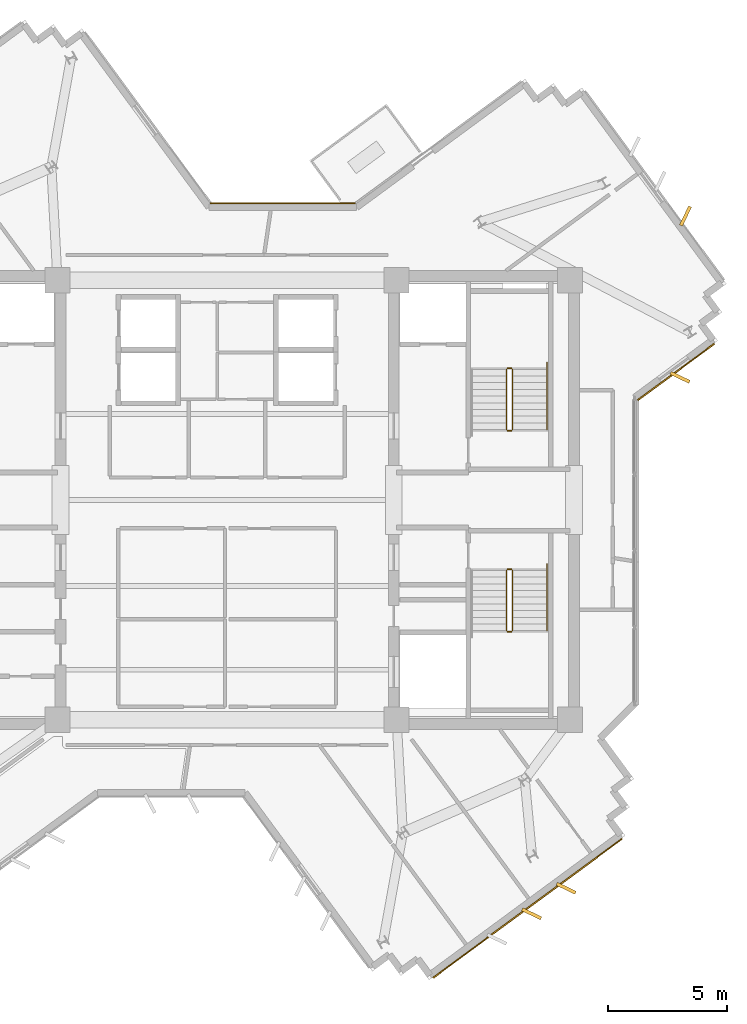
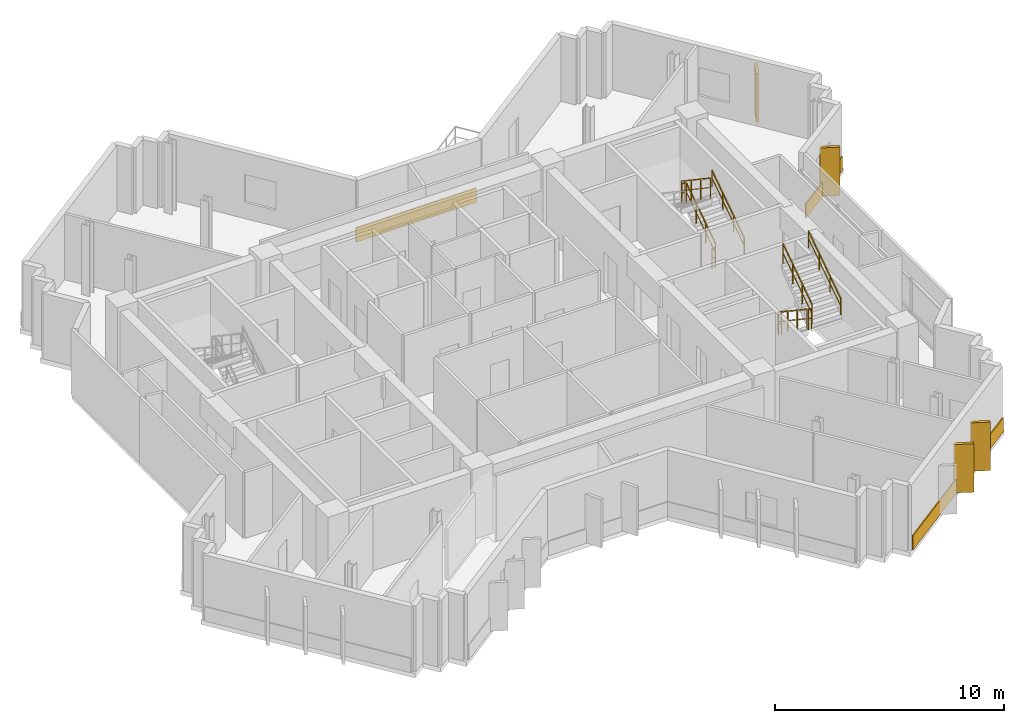
# One storey, part 12 of 13: 10 railings, 7 coverings.
"""IFC4 building model written with IfcOpenShell, lengths in metres."""

import ifcopenshell
import ifcopenshell.guid

model = None  # the IFC model being written
_history = None  # IfcOwnerHistory: only IFC2X3 demands one
_inside = {}  # id of a spatial element -> (the spatial element, [elements in it])
_under = {}  # id of a project, library or spatial element -> (it, [spatial elements below it])
_declared = {}  # id of a project -> (the project, [libraries it declares])
_typed = {}  # id of a type object -> (the type object, [elements of that type])
_made_of = {}  # id of a material, layer set ... -> (it, [elements and type objects made of it])


def new_model(schema):
    """Start an empty IFC model of exactly this schema.

    Asked for "IFC4X3", IfcOpenShell would pick the latest addendum, in which some entities
    have other attributes; the version numbers below select the first issue.
    IFC2X3 requires an IfcOwnerHistory on every rooted entity: one is made here for all.
    """
    global model, _history
    if schema == "IFC4X3":
        model = ifcopenshell.file(schema_version=(4, 3, 0, 0))
    else:
        model = ifcopenshell.file(schema=schema)
    _inside.clear()
    _under.clear()
    _declared.clear()
    _typed.clear()
    _made_of.clear()
    _history = None
    if model.schema == "IFC2X3":
        org = make("IfcOrganization", Name="unknown")
        user = make(
            "IfcPersonAndOrganization",
            ThePerson=make("IfcPerson", FamilyName="unknown"),
            TheOrganization=org,
        )
        app = make(
            "IfcApplication",
            ApplicationDeveloper=org,
            Version="unknown",
            ApplicationFullName="unknown",
            ApplicationIdentifier="unknown",
        )
        _history = make(
            "IfcOwnerHistory",
            OwningUser=user,
            OwningApplication=app,
            ChangeAction="ADDED",
            CreationDate=0,
        )
    return model


def make(cls, **values):
    """One entity of the class cls with the attributes given. An attribute that is None is left unset."""
    return model.create_entity(
        cls, **{name: value for name, value in values.items() if value is not None}
    )


def rooted(cls, **values):
    """An entity with a GlobalId (a new one), such as an element, a storey or a relation."""
    return make(cls, GlobalId=ifcopenshell.guid.new(), OwnerHistory=_history, **values)


def si_unit(unit_type, name, prefix=None):
    """IfcSIUnit, for example si_unit("LENGTHUNIT", "METRE", prefix="MILLI")."""
    return make("IfcSIUnit", UnitType=unit_type, Prefix=prefix, Name=name)


def assignment(units):
    """IfcUnitAssignment: the units of a project."""
    return None if units is None else make("IfcUnitAssignment", Units=units)


def point(xyz):
    """IfcCartesianPoint."""
    return None if xyz is None else make("IfcCartesianPoint", Coordinates=xyz)


def direction(xyz):
    """IfcDirection."""
    return None if xyz is None else make("IfcDirection", DirectionRatios=xyz)


def frame(location, z_axis=None, x_axis=None):
    """IfcAxis2Placement3D, a coordinate frame: its origin and axes. An axis left out is left unset."""
    return make(
        "IfcAxis2Placement3D",
        Location=point(location),
        Axis=direction(z_axis),
        RefDirection=direction(x_axis),
    )


def frame_2d(location, x_axis=None):
    """IfcAxis2Placement2D, a coordinate frame in the plane: its origin and x axis."""
    return make(
        "IfcAxis2Placement2D", Location=point(location), RefDirection=direction(x_axis)
    )


def origin():
    """The frame at (0, 0, 0) with its axes left unset."""
    return frame((0.0, 0.0, 0.0))


def origin_2d():
    """The frame at (0, 0) in the plane with its x axis left unset."""
    return frame_2d((0.0, 0.0))


def place(relative_to, where):
    """IfcLocalPlacement: puts the frame where relative to a parent placement (None: the world)."""
    return make(
        "IfcLocalPlacement", PlacementRelTo=relative_to, RelativePlacement=where
    )


def context(
    kind, dimensions, precision=None, world=None, true_north=None, identifier=None
):
    """IfcGeometricRepresentationContext, for example the 3D "Model" context."""
    return make(
        "IfcGeometricRepresentationContext",
        ContextIdentifier=identifier,
        ContextType=kind,
        CoordinateSpaceDimension=dimensions,
        Precision=precision,
        WorldCoordinateSystem=world,
        TrueNorth=true_north,
    )


def subcontext(parent, identifier, kind, view, scale=None):
    """IfcGeometricRepresentationSubContext, for example "Body" below "Model"."""
    return make(
        "IfcGeometricRepresentationSubContext",
        ContextIdentifier=identifier,
        ContextType=kind,
        ParentContext=parent,
        TargetScale=scale,
        TargetView=view,
    )


def project(units=None, contexts=None):
    """IfcProject with its units and contexts."""
    return rooted(
        "IfcProject",
        Name="project",
        RepresentationContexts=contexts,
        UnitsInContext=assignment(units),
    )


def spatial(cls, under=None, at=None, **own):
    """A site, building, storey or space (cls), placed at a placement, below another one or the project."""
    s = rooted(cls, ObjectPlacement=at, **own)
    if under is not None:
        _under.setdefault(under.id(), (under, []))[1].append(s)
    return s


def profile(cls, at=None, kind="AREA", **sizes):
    """A parametric profile (cls). Its sizes go by their IFC names, for example OverallWidth=200.0."""
    return make(cls, ProfileType=kind, Position=at, **sizes)


def rectangle(**sizes):
    """IfcRectangleProfileDef."""
    return profile("IfcRectangleProfileDef", **sizes)


def extrude(swept, where, along, depth):
    """IfcExtrudedAreaSolid: the profile swept, set in the frame where, extruded along a direction by depth."""
    return make(
        "IfcExtrudedAreaSolid",
        SweptArea=swept,
        Position=where,
        ExtrudedDirection=direction(along),
        Depth=depth,
    )


def shape(context_of_items, identifier, shape_type, items):
    """IfcShapeRepresentation: the items that make up one representation, for example the "Body"."""
    return make(
        "IfcShapeRepresentation",
        ContextOfItems=context_of_items,
        RepresentationIdentifier=identifier,
        RepresentationType=shape_type,
        Items=items,
    )


def source(mapping_origin, context_of_items, identifier, shape_type, items):
    """IfcRepresentationMap: a shape defined once, which mapped items show again and again."""
    return make(
        "IfcRepresentationMap",
        MappingOrigin=mapping_origin,
        MappedRepresentation=shape(context_of_items, identifier, shape_type, items),
    )


def transform(
    local_origin,
    x_axis=None,
    y_axis=None,
    z_axis=None,
    scale=None,
    scale2=None,
    scale3=None,
    uniform=True,
):
    """IfcCartesianTransformationOperator3D, or its non-uniform kind. x_axis, y_axis, z_axis: its Axis1, 2, 3."""
    if uniform:
        return make(
            "IfcCartesianTransformationOperator3D",
            Axis1=direction(x_axis),
            Axis2=direction(y_axis),
            LocalOrigin=point(local_origin),
            Scale=scale,
            Axis3=direction(z_axis),
        )
    return make(
        "IfcCartesianTransformationOperator3DnonUniform",
        Axis1=direction(x_axis),
        Axis2=direction(y_axis),
        LocalOrigin=point(local_origin),
        Scale=scale,
        Axis3=direction(z_axis),
        Scale2=scale2,
        Scale3=scale3,
    )


def mapped(mapping_source, mapping_target):
    """IfcMappedItem: shows the shape of a source again, moved by a transform."""
    return make(
        "IfcMappedItem", MappingSource=mapping_source, MappingTarget=mapping_target
    )


def material(Name=None, Category=None):
    """IfcMaterial."""
    return make("IfcMaterial", Name=Name, Category=Category)


def layer(
    of_material, thickness, ventilated=None, Name=None, Category=None, Priority=None
):
    """IfcMaterialLayer: one layer of a wall or slab, of a material (None: an air gap)."""
    return make(
        "IfcMaterialLayer",
        Material=of_material,
        LayerThickness=thickness,
        IsVentilated=ventilated,
        Name=Name,
        Category=Category,
        Priority=Priority,
    )


def layer_set(layers, Name=None):
    """IfcMaterialLayerSet."""
    return make("IfcMaterialLayerSet", MaterialLayers=layers, LayerSetName=Name)


def made_of(thing, what):
    """Note that an element or type object is made of a material, layer set ...; save() writes the relation."""
    if what is not None:
        _made_of.setdefault(what.id(), (what, []))[1].append(thing)
    return thing


def type_object(cls, material=None, **own):
    """A type object (cls), such as IfcWallType, which elements share."""
    return made_of(rooted(cls, **own), material)


def element(
    cls,
    number,
    at=None,
    inside=None,
    cuts=None,
    type_object=None,
    material=None,
    context=None,
    identifier="Body",
    shape_type=None,
    held_by="IfcProductDefinitionShape",
    body=None,
    shapes=None,
    **own,
):
    """One element of the class cls, such as IfcWall. Its Tag is "e" and its number.

    at: its placement. inside: the storey or other place that contains it. cuts: it is an
    opening in that element (IfcRelVoidsElement). A single representation is given by context,
    identifier, shape_type and body (its items); several are given by shapes. held_by: the class
    of the entity that holds the representations. save() writes the other relations.
    """
    e = rooted(cls, Tag="e%d" % number, ObjectPlacement=at, **own)
    if body is not None:
        shapes = [shape(context, identifier, shape_type, body)]
    if shapes is not None:
        e.Representation = make(held_by, Representations=shapes)
    if inside is not None:
        _inside.setdefault(inside.id(), (inside, []))[1].append(e)
    if cuts is not None:
        rooted(
            "IfcRelVoidsElement", RelatingBuildingElement=cuts, RelatedOpeningElement=e
        )
    if type_object is not None:
        _typed.setdefault(type_object.id(), (type_object, []))[1].append(e)
    return made_of(e, material)


def aggregate(whole, parts):
    """IfcRelAggregates: a whole, such as a stair, and the parts it consists of."""
    return rooted("IfcRelAggregates", RelatingObject=whole, RelatedObjects=parts)


def save(model, path):
    """Write the relations noted so far, then the file.

    IfcRelAggregates (storeys below a building ...), IfcRelContainedInSpatialStructure (elements
    in a storey), IfcRelDefinesByType, IfcRelAssociatesMaterial and IfcRelDeclares: one each for
    every whole, place, type object, material and project.
    """
    for whole, parts in _under.values():
        aggregate(whole, parts)
    for where, things in _inside.values():
        rooted(
            "IfcRelContainedInSpatialStructure",
            RelatedElements=things,
            RelatingStructure=where,
        )
    for kind, things in _typed.values():
        rooted("IfcRelDefinesByType", RelatedObjects=things, RelatingType=kind)
    for what, things in _made_of.values():
        rooted("IfcRelAssociatesMaterial", RelatedObjects=things, RelatingMaterial=what)
    for by, libraries in _declared.values():
        rooted("IfcRelDeclares", RelatingContext=by, RelatedDefinitions=libraries)
    model.write(path)


model = new_model("IFC4")

# Units and contexts
model_context = context("Model", 3, precision=1e-05, world=origin(), true_north=direction((0.0, 1.0)))
body_context = subcontext(model_context, "Body", "Model", "MODEL_VIEW")
ifc_project = project(units=[si_unit("LENGTHUNIT", "METRE"), si_unit("AREAUNIT", "SQUARE_METRE"), si_unit("VOLUMEUNIT", "CUBIC_METRE"), si_unit("PLANEANGLEUNIT", "RADIAN"), si_unit("MASSUNIT", "GRAM", prefix="KILO")], contexts=[model_context])

# Site, building, storey
site_placement = place(None, origin())
site = spatial("IfcSite", under=ifc_project, at=site_placement, CompositionType="ELEMENT")
building_placement = place(site_placement, origin())
building = spatial("IfcBuilding", under=site, at=building_placement, Name="Zahravan Cultural Tower", CompositionType="ELEMENT")
storey_placement = place(building_placement, frame((0.0, 0.0, 272.85009765625)))
storey = spatial("IfcBuildingStorey", under=building, at=storey_placement, Name="L65", CompositionType="ELEMENT", Elevation=272.85009765625)

# Railings
ifc_material_1 = material(Name="Steel ASTM A572 Grade 50", Category="steel")
railing_type_1 = type_object("IfcRailingType", Name="RL-STAIR-GRD1150", PredefinedType="BALUSTRADE", material=ifc_material_1)
railing_1_placement = place(storey_placement, frame((47.949951171875, 29.949951171875, 0.1875)))
element("IfcRailing", 1, at=railing_1_placement, inside=storey, type_object=railing_type_1, Name="L65 ST-E1 stair guard 1", PredefinedType="BALUSTRADE", context=body_context, shape_type="SweptSolid", body=[
    extrude(rectangle(XDim=0.05, YDim=0.05, at=origin_2d()), frame((0.0, 0.0, 1.0751953125), z_axis=(0.0, 0.830909170722, 0.55640807867), x_axis=(-1.0, 0.0, 0.0)), (0.0, 0.0, 1.0), 3.032958984375),
    extrude(rectangle(XDim=0.032, YDim=0.032, at=origin_2d()), frame((0.0, 0.0, 0.572021484375), z_axis=(0.0, 0.830909170722, 0.55640807867), x_axis=(-1.0, 0.0, 0.0)), (0.0, 0.0, 1.0), 3.032958984375),
    extrude(rectangle(XDim=0.04, YDim=0.04, at=origin_2d()), origin(), (0.0, 0.0, 1.0), 1.10009765625),
    extrude(rectangle(XDim=0.04, YDim=0.04, at=origin_2d()), frame((0.0, 0.840087890625, 0.5625)), (0.0, 0.0, 1.0), 1.10009765625),
    extrude(rectangle(XDim=0.04, YDim=0.04, at=origin_2d()), frame((0.0, 1.679931640625, 1.125)), (0.0, 0.0, 1.0), 1.10009765625),
    extrude(rectangle(XDim=0.04, YDim=0.04, at=origin_2d()), frame((0.0, 2.52001953125, 1.6875)), (0.0, 0.0, 1.0), 1.10009765625),
])
railing_2_placement = place(storey_placement, frame((47.89990234375, 32.52001953125, 1.875)))
element("IfcRailing", 2, at=railing_2_placement, inside=storey, type_object=railing_type_1, Name="L65 ST-E1 stair guard 2", PredefinedType="BALUSTRADE", context=body_context, shape_type="SweptSolid", body=[
    extrude(rectangle(XDim=0.05, YDim=0.05, at=origin_2d()), frame((0.0, 0.0, 1.0751953125), z_axis=(-1.0, 0.0, 0.0), x_axis=(0.0, -1.0, 0.0)), (0.0, 0.0, 1.0), 0.14990234375),
    extrude(rectangle(XDim=0.032, YDim=0.032, at=origin_2d()), frame((0.0, 0.0, 0.572021484375), z_axis=(-1.0, 0.0, 0.0), x_axis=(0.0, -1.0, 0.0)), (0.0, 0.0, 1.0), 0.14990234375),
    extrude(rectangle(XDim=0.04, YDim=0.04, at=origin_2d()), origin(), (0.0, 0.0, 1.0), 1.10009765625),
    extrude(rectangle(XDim=0.04, YDim=0.04, at=origin_2d()), frame((-0.14990234375, 0.0, 0.0)), (0.0, 0.0, 1.0), 1.10009765625),
])
railing_3_placement = place(storey_placement, frame((47.699951171875, 32.469970703125, 2.0625)))
element("IfcRailing", 3, at=railing_3_placement, inside=storey, type_object=railing_type_1, Name="L65 ST-E1 stair guard 3", PredefinedType="BALUSTRADE", context=body_context, shape_type="SweptSolid", body=[
    extrude(rectangle(XDim=0.05, YDim=0.05, at=origin_2d()), frame((0.0, 0.0, 1.0751953125), z_axis=(0.0, -0.830909170722, 0.55640807867), x_axis=(1.0, 0.0, 0.0)), (0.0, 0.0, 1.0), 3.032958984375),
    extrude(rectangle(XDim=0.032, YDim=0.032, at=origin_2d()), frame((0.0, 0.0, 0.572021484375), z_axis=(0.0, -0.830909170722, 0.55640807867), x_axis=(1.0, 0.0, 0.0)), (0.0, 0.0, 1.0), 3.032958984375),
    extrude(rectangle(XDim=0.04, YDim=0.04, at=origin_2d()), origin(), (0.0, 0.0, 1.0), 1.10009765625),
    extrude(rectangle(XDim=0.04, YDim=0.04, at=origin_2d()), frame((0.0, -0.840087890625, 0.5625)), (0.0, 0.0, 1.0), 1.10009765625),
    extrude(rectangle(XDim=0.04, YDim=0.04, at=origin_2d()), frame((0.0, -1.679931640625, 1.125)), (0.0, 0.0, 1.0), 1.10009765625),
    extrude(rectangle(XDim=0.04, YDim=0.04, at=origin_2d()), frame((0.0, -2.52001953125, 1.6875)), (0.0, 0.0, 1.0), 1.10009765625),
])
railing_4_placement = place(storey_placement, frame((47.89990234375, 29.89990234375, 0.0)))
element("IfcRailing", 4, at=railing_4_placement, inside=storey, type_object=railing_type_1, Name="L65 ST-E1 stair guard 4", PredefinedType="BALUSTRADE", context=body_context, shape_type="SweptSolid", body=[
    extrude(rectangle(XDim=0.05, YDim=0.05, at=origin_2d()), frame((0.0, 0.0, 1.0751953125), z_axis=(-1.0, 0.0, 0.0), x_axis=(0.0, -1.0, 0.0)), (0.0, 0.0, 1.0), 0.14990234375),
    extrude(rectangle(XDim=0.032, YDim=0.032, at=origin_2d()), frame((0.0, 0.0, 0.572021484375), z_axis=(-1.0, 0.0, 0.0), x_axis=(0.0, -1.0, 0.0)), (0.0, 0.0, 1.0), 0.14990234375),
    extrude(rectangle(XDim=0.04, YDim=0.04, at=origin_2d()), origin(), (0.0, 0.0, 1.0), 1.10009765625),
    extrude(rectangle(XDim=0.04, YDim=0.04, at=origin_2d()), frame((-0.14990234375, 0.0, 0.0)), (0.0, 0.0, 1.0), 1.10009765625),
])
railing_5_placement = place(storey_placement, frame((47.699951171875, 24.050048828125, 0.1875)))
element("IfcRailing", 5, at=railing_5_placement, inside=storey, type_object=railing_type_1, Name="L65 ST-E2 stair guard 1", PredefinedType="BALUSTRADE", context=body_context, shape_type="SweptSolid", body=[
    extrude(rectangle(XDim=0.05, YDim=0.05, at=origin_2d()), frame((0.0, 0.0, 1.0751953125), z_axis=(0.0, -0.830909170722, 0.55640807867), x_axis=(1.0, 0.0, 0.0)), (0.0, 0.0, 1.0), 3.032958984375),
    extrude(rectangle(XDim=0.032, YDim=0.032, at=origin_2d()), frame((0.0, 0.0, 0.572021484375), z_axis=(0.0, -0.830909170722, 0.55640807867), x_axis=(1.0, 0.0, 0.0)), (0.0, 0.0, 1.0), 3.032958984375),
    extrude(rectangle(XDim=0.04, YDim=0.04, at=origin_2d()), origin(), (0.0, 0.0, 1.0), 1.10009765625),
    extrude(rectangle(XDim=0.04, YDim=0.04, at=origin_2d()), frame((0.0, -0.840087890625, 0.5625)), (0.0, 0.0, 1.0), 1.10009765625),
    extrude(rectangle(XDim=0.04, YDim=0.04, at=origin_2d()), frame((0.0, -1.679931640625, 1.125)), (0.0, 0.0, 1.0), 1.10009765625),
    extrude(rectangle(XDim=0.04, YDim=0.04, at=origin_2d()), frame((0.0, -2.52001953125, 1.6875)), (0.0, 0.0, 1.0), 1.10009765625),
])
railing_6_placement = place(storey_placement, frame((47.75, 21.47998046875, 1.875)))
element("IfcRailing", 6, at=railing_6_placement, inside=storey, type_object=railing_type_1, Name="L65 ST-E2 stair guard 2", PredefinedType="BALUSTRADE", context=body_context, shape_type="SweptSolid", body=[
    extrude(rectangle(XDim=0.05, YDim=0.05, at=origin_2d()), frame((0.0, 0.0, 1.0751953125), z_axis=(1.0, 0.0, 0.0), x_axis=(0.0, 1.0, 0.0)), (0.0, 0.0, 1.0), 0.14990234375),
    extrude(rectangle(XDim=0.032, YDim=0.032, at=origin_2d()), frame((0.0, 0.0, 0.572021484375), z_axis=(1.0, 0.0, 0.0), x_axis=(0.0, 1.0, 0.0)), (0.0, 0.0, 1.0), 0.14990234375),
    extrude(rectangle(XDim=0.04, YDim=0.04, at=origin_2d()), origin(), (0.0, 0.0, 1.0), 1.10009765625),
    extrude(rectangle(XDim=0.04, YDim=0.04, at=origin_2d()), frame((0.14990234375, 0.0, 0.0)), (0.0, 0.0, 1.0), 1.10009765625),
])
railing_7_placement = place(storey_placement, frame((47.949951171875, 21.530029296875, 2.0625)))
element("IfcRailing", 7, at=railing_7_placement, inside=storey, type_object=railing_type_1, Name="L65 ST-E2 stair guard 3", PredefinedType="BALUSTRADE", context=body_context, shape_type="SweptSolid", body=[
    extrude(rectangle(XDim=0.05, YDim=0.05, at=origin_2d()), frame((0.0, 0.0, 1.0751953125), z_axis=(0.0, 0.830909170722, 0.55640807867), x_axis=(-1.0, 0.0, 0.0)), (0.0, 0.0, 1.0), 3.032958984375),
    extrude(rectangle(XDim=0.032, YDim=0.032, at=origin_2d()), frame((0.0, 0.0, 0.572021484375), z_axis=(0.0, 0.830909170722, 0.55640807867), x_axis=(-1.0, 0.0, 0.0)), (0.0, 0.0, 1.0), 3.032958984375),
    extrude(rectangle(XDim=0.04, YDim=0.04, at=origin_2d()), origin(), (0.0, 0.0, 1.0), 1.10009765625),
    extrude(rectangle(XDim=0.04, YDim=0.04, at=origin_2d()), frame((0.0, 0.840087890625, 0.5625)), (0.0, 0.0, 1.0), 1.10009765625),
    extrude(rectangle(XDim=0.04, YDim=0.04, at=origin_2d()), frame((0.0, 1.679931640625, 1.125)), (0.0, 0.0, 1.0), 1.10009765625),
    extrude(rectangle(XDim=0.04, YDim=0.04, at=origin_2d()), frame((0.0, 2.52001953125, 1.6875)), (0.0, 0.0, 1.0), 1.10009765625),
])
railing_8_placement = place(storey_placement, frame((47.75, 24.10009765625, 0.0)))
element("IfcRailing", 8, at=railing_8_placement, inside=storey, type_object=railing_type_1, Name="L65 ST-E2 stair guard 4", PredefinedType="BALUSTRADE", context=body_context, shape_type="SweptSolid", body=[
    extrude(rectangle(XDim=0.05, YDim=0.05, at=origin_2d()), frame((0.0, 0.0, 1.0751953125), z_axis=(1.0, 0.0, 0.0), x_axis=(0.0, 1.0, 0.0)), (0.0, 0.0, 1.0), 0.14990234375),
    extrude(rectangle(XDim=0.032, YDim=0.032, at=origin_2d()), frame((0.0, 0.0, 0.572021484375), z_axis=(1.0, 0.0, 0.0), x_axis=(0.0, 1.0, 0.0)), (0.0, 0.0, 1.0), 0.14990234375),
    extrude(rectangle(XDim=0.04, YDim=0.04, at=origin_2d()), origin(), (0.0, 0.0, 1.0), 1.10009765625),
    extrude(rectangle(XDim=0.04, YDim=0.04, at=origin_2d()), frame((0.14990234375, 0.0, 0.0)), (0.0, 0.0, 1.0), 1.10009765625),
])
railing_type_2 = type_object("IfcRailingType", Name="RL-STAIR-HR900", PredefinedType="HANDRAIL", material=ifc_material_1)
for number, where, name in (
    (9, (49.39990234375, 29.949951171875, 0.1875), "L65 ST-E1 stair handrail 1"),
    (10, (49.39990234375, 21.530029296875, 2.0625), "L65 ST-E2 stair handrail 2"),
):
    element("IfcRailing", number, at=place(storey_placement, frame(where)), inside=storey, type_object=railing_type_2, Name=name, PredefinedType="HANDRAIL", context=body_context, shape_type="SweptSolid", body=[
        extrude(rectangle(XDim=0.05, YDim=0.05, at=origin_2d()), frame((0.0, 0.0, 0.875), z_axis=(0.0, 0.830911662861, 0.55640435703), x_axis=(-1.0, 0.0, 0.0)), (0.0, 0.0, 1.0), 3.369873046875),
        extrude(rectangle(XDim=0.032, YDim=0.032, at=origin_2d()), frame((0.0, 0.0, 0.468017578125), z_axis=(0.0, 0.830911662861, 0.55640435703), x_axis=(-1.0, 0.0, 0.0)), (0.0, 0.0, 1.0), 3.369873046875),
        extrude(rectangle(XDim=0.04, YDim=0.04, at=origin_2d()), origin(), (0.0, 0.0, 1.0), 0.89990234375),
        extrude(rectangle(XDim=0.04, YDim=0.04, at=origin_2d()), frame((0.0, 0.933349609375, 0.625)), (0.0, 0.0, 1.0), 0.89990234375),
        extrude(rectangle(XDim=0.04, YDim=0.04, at=origin_2d()), frame((0.0, 1.86669921875, 1.25)), (0.0, 0.0, 1.0), 0.89990234375),
        extrude(rectangle(XDim=0.04, YDim=0.04, at=origin_2d()), frame((0.0, 2.800048828125, 1.875)), (0.0, 0.0, 1.0), 0.89990234375),
    ])

# Coverings
ifc_material_2 = material(Name="Terracotta ceramic cladding", Category="masonry")
ifc_layer = layer(ifc_material_2, 0.06005859375)
ifc_layer_set = layer_set([ifc_layer], Name="Terracotta ceramic cladding")
covering_type = type_object("IfcCoveringType", Name="COV-CLAD-TC60", PredefinedType="CLADDING", material=ifc_layer_set)
shared_shape_1 = source(origin(), body_context, "Body", "SweptSolid", [
    extrude(rectangle(XDim=9.820068359375, YDim=0.06005859375, at=origin_2d()), origin(), (0.0, 0.0, 1.0), 0.760009765625),
])
covering_1_placement = place(storey_placement, frame((48.580322265625, 9.905029296875, 0.02001953125), z_axis=(0.0, 0.0, 1.0), x_axis=(-0.80541134648, -0.592716258391, 0.0)))
element("IfcCovering", 11, at=covering_1_placement, inside=storey, type_object=covering_type, Name="L65 Terracotta Spandrel Cladding 18", PredefinedType="CLADDING", context=body_context, shape_type="MappedRepresentation", body=[
    mapped(shared_shape_1, transform((0.0, 0.0, 0.0), x_axis=(1.0, 0.0, 0.0), y_axis=(0.0, 1.0, 0.0), z_axis=(0.0, 0.0, 1.0), scale=1.0)),
])
shared_shape_2 = source(origin(), body_context, "Body", "SweptSolid", [
    extrude(rectangle(XDim=0.8798828125, YDim=0.139892578125, at=origin_2d()), origin(), (0.0, 0.0, 1.0), 2.580078125),
])
for number, where, z_axis, x_axis, name in (
    (12, (55.19677734375, 38.892333984375, 0.0498046875), (0.0, 0.0, 1.0), (0.43287258152, 0.901455117112, 0.0), "L65 Herringbone Terracotta Fin 03"),
    (13, (54.969482421875, 32.13232421875, 0.0498046875), (0.0, 0.0, 1.0), (0.901455117112, -0.43287258152, 0.0), "L65 Herringbone Terracotta Fin 04"),
    (14, (50.19921875, 10.742431640625, 0.0498046875), (0.0, 0.0, 1.0), (0.901455117112, -0.43287258152, 0.0), "L65 Herringbone Terracotta Fin 05"),
    (15, (48.74951171875, 9.675537109375, 0.0498046875), (0.0, 0.0, 1.0), (0.901455117112, -0.43287258152, 0.0), "L65 Herringbone Terracotta Fin 06"),
):
    element("IfcCovering", number, at=place(storey_placement, frame(where, z_axis=z_axis, x_axis=x_axis)), inside=storey, type_object=covering_type, Name=name, PredefinedType="CLADDING", context=body_context, shape_type="MappedRepresentation", body=[
        mapped(shared_shape_2, transform((0.0, 0.0, 0.0), x_axis=(1.0, 0.0, 0.0), y_axis=(0.0, 1.0, 0.0), z_axis=(0.0, 0.0, 1.0), scale=1.0)),
    ])
shared_shape_3 = source(origin(), body_context, "Body", "SweptSolid", [
    extrude(rectangle(XDim=3.9794921875, YDim=0.06005859375, at=origin_2d()), origin(), (0.0, 0.0, 1.0), 0.760009765625),
])
covering_2_placement = place(storey_placement, frame((54.800537109375, 32.36181640625, 0.02001953125), z_axis=(0.0, 0.0, 1.0), x_axis=(-0.80541134648, -0.592716258391, 0.0)))
element("IfcCovering", 16, at=covering_2_placement, inside=storey, type_object=covering_type, Name="L65 Terracotta Spandrel Cladding 11", PredefinedType="CLADDING", context=body_context, shape_type="MappedRepresentation", body=[
    mapped(shared_shape_3, transform((0.0, 0.0, 0.0), x_axis=(1.0, 0.0, 0.0), y_axis=(0.0, 1.0, 0.0), z_axis=(0.0, 0.0, 1.0), scale=1.0)),
])
shared_shape_4 = source(origin(), body_context, "Body", "SweptSolid", [
    extrude(rectangle(XDim=6.076416015625, YDim=0.06005859375, at=origin_2d()), origin(), (0.0, 0.0, 1.0), 0.760009765625),
])
covering_3_placement = place(storey_placement, frame((38.3349609375, 39.425048828125, 0.02001953125), z_axis=(0.0, 0.0, 1.0), x_axis=(1.0, 0.0, 0.0)))
element("IfcCovering", 17, at=covering_3_placement, inside=storey, type_object=covering_type, Name="L65 Terracotta Spandrel Cladding 48", PredefinedType="CLADDING", context=body_context, shape_type="MappedRepresentation", body=[
    mapped(shared_shape_4, transform((0.0, 0.0, 0.0), x_axis=(1.0, 0.0, 0.0), y_axis=(0.0, 1.0, 0.0), z_axis=(0.0, 0.0, 1.0), scale=1.0)),
])

save(model, "model.ifc")
